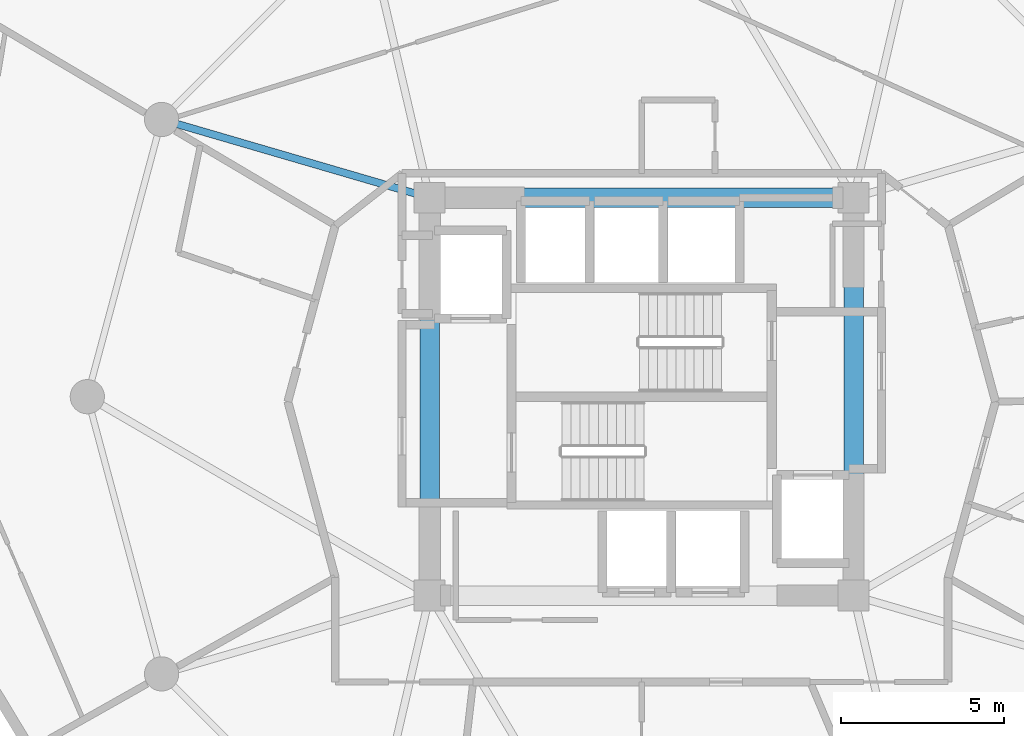
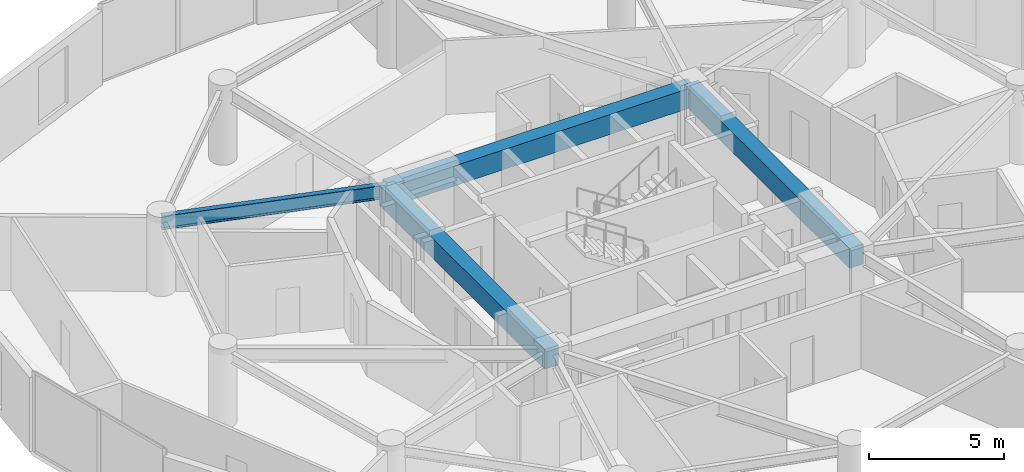
# One storey, part 9 of 25: 4 beams.
"""IFC4 building model written with IfcOpenShell, lengths in metres."""

from ifc_helpers import new_model, si_unit, direction, frame, origin, origin_2d, place, context, subcontext, project, spatial, rectangle, i_section, extrude, material, material_profile, profile_set, type_object, element, save


model = new_model("IFC4")

# Units and contexts
model_context = context("Model", 3, precision=1e-05, world=origin(), true_north=direction((0.0, 1.0)))
body_context = subcontext(model_context, "Body", "Model", "MODEL_VIEW")
ifc_project = project(units=[si_unit("LENGTHUNIT", "METRE"), si_unit("AREAUNIT", "SQUARE_METRE"), si_unit("VOLUMEUNIT", "CUBIC_METRE"), si_unit("PLANEANGLEUNIT", "RADIAN"), si_unit("MASSUNIT", "GRAM", prefix="KILO")], contexts=[model_context])

# Site, building, storey
site_placement = place(None, origin())
site = spatial("IfcSite", under=ifc_project, at=site_placement, CompositionType="ELEMENT")
building_placement = place(site_placement, origin())
building = spatial("IfcBuilding", under=site, at=building_placement, Name="Solvirekh Grand Hotel", CompositionType="ELEMENT")
storey_placement = place(building_placement, frame((0.0, 0.0, 120.60009765625)))
storey = spatial("IfcBuildingStorey", under=building, at=storey_placement, Name="L30", CompositionType="ELEMENT", Elevation=120.60009765625)

# Beams
ifc_material_1 = material(Name="Concrete C50/60", Category="concrete")
ifc_material_profile_1 = material_profile(ifc_material_1, rectangle(XDim=0.60009765625, YDim=0.89990234375, at=origin_2d()), Name="RC BEAM 600X900")
ifc_profile_set_1 = profile_set([ifc_material_profile_1], Name="Concrete C50/60")
beam_type_1 = type_object("IfcBeamType", Name="Beam_Core_RC900", PredefinedType="BEAM", material=ifc_profile_set_1)
beam_1_placement = place(storey_placement, frame((6.5, -6.10009765625, 2.89990234375), z_axis=(0.0, 1.0, 0.0), x_axis=(-1.0, 0.0, 0.0)))
element("IfcBeam", 1, at=beam_1_placement, inside=storey, type_object=beam_type_1, Name="L30 core coupling ring beam 2", PredefinedType="BEAM", context=body_context, shape_type="SweptSolid", body=[
    extrude(rectangle(XDim=0.60009765625, YDim=0.89990234375, at=origin_2d()), origin(), (0.0, 0.0, 1.0), 12.2001953125),
])
beam_2_placement = place(storey_placement, frame((6.5, 6.10009765625, 2.89990234375), z_axis=(-1.0, 0.0, 0.0), x_axis=(0.0, -1.0, 0.0)))
element("IfcBeam", 2, at=beam_2_placement, inside=storey, type_object=beam_type_1, Name="L30 core coupling ring beam 3", PredefinedType="BEAM", context=body_context, shape_type="SweptSolid", body=[
    extrude(rectangle(XDim=0.60009765625, YDim=0.89990234375, at=origin_2d()), origin(), (0.0, 0.0, 1.0), 13.0),
])
beam_3_placement = place(storey_placement, frame((-6.5, 6.10009765625, 2.89990234375), z_axis=(0.0, -1.0, 0.0), x_axis=(1.0, 0.0, 0.0)))
element("IfcBeam", 3, at=beam_3_placement, inside=storey, type_object=beam_type_1, Name="L30 core coupling ring beam 4", PredefinedType="BEAM", context=body_context, shape_type="SweptSolid", body=[
    extrude(rectangle(XDim=0.60009765625, YDim=0.89990234375, at=origin_2d()), origin(), (0.0, 0.0, 1.0), 12.2001953125),
])
ifc_material_2 = material(Name="Steel S355", Category="steel")
ifc_material_profile_2 = material_profile(ifc_material_2, i_section(OverallWidth=0.22802734375, OverallDepth=0.616943359375, WebThickness=0.012939453125, FlangeThickness=0.02001953125, FilletRadius=0.014892578125, at=origin_2d()), Name="W610X140")
ifc_profile_set_2 = profile_set([ifc_material_profile_2], Name="Steel S355")
beam_type_2 = type_object("IfcBeamType", Name="Beam_Radial_W610", PredefinedType="BEAM", material=ifc_profile_set_2)
beam_4_placement = place(storey_placement, frame((-6.5, 6.10009765625, 3.0419921875), z_axis=(-0.959942195467, 0.28019811092, 0.0), x_axis=(-0.28019811092, -0.959942195467, 0.0)))
element("IfcBeam", 4, at=beam_4_placement, inside=storey, type_object=beam_type_2, Name="L30 radial floor beam R06", PredefinedType="BEAM", context=body_context, shape_type="SweptSolid", body=[
    extrude(i_section(OverallWidth=0.22802734375, OverallDepth=0.616943359375, WebThickness=0.012939453125, FlangeThickness=0.02001953125, FilletRadius=0.014892578125, at=origin_2d()), origin(), (0.0, 0.0, 1.0), 8.56494140625),
])

save(model, "model.ifc")
